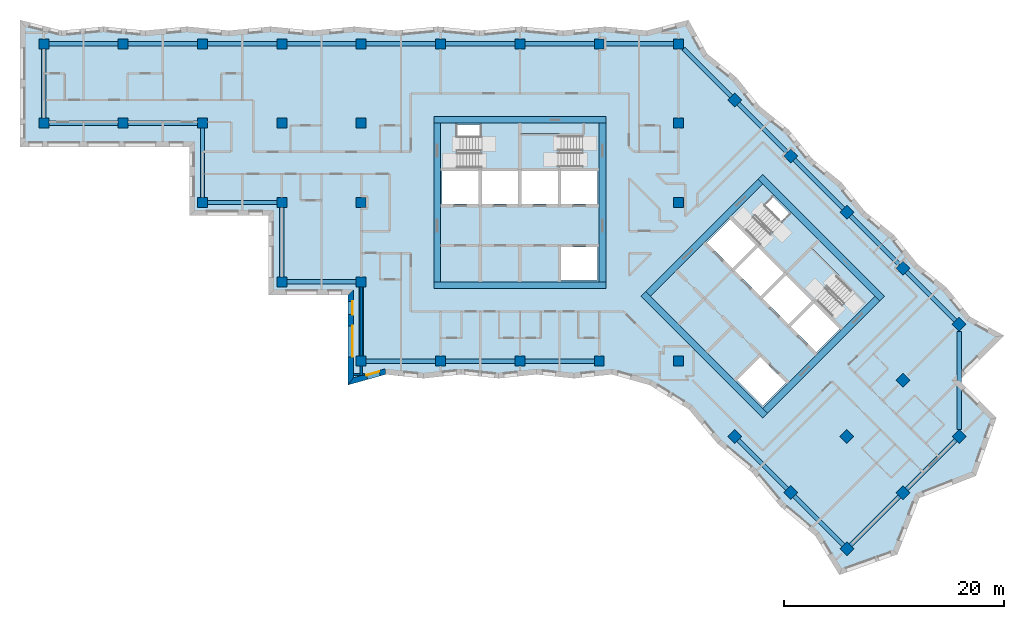
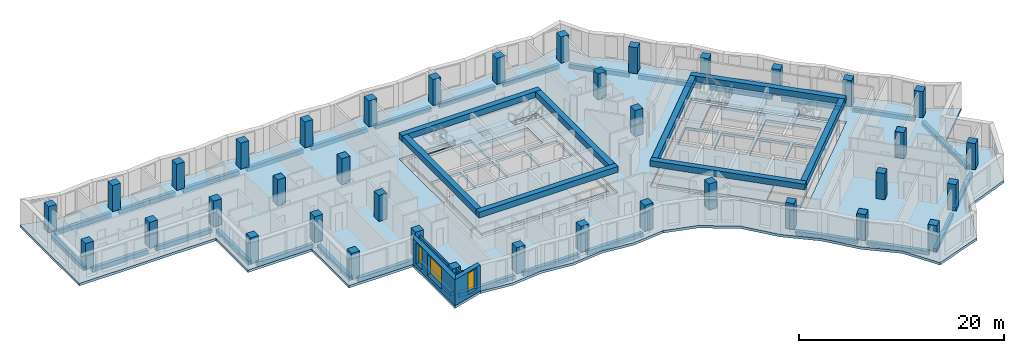
# One storey, part 1 of 12: 38 columns, 37 beams, 7 slabs, 5 walls, 3 windows, 19 openings, 4 elements without a shape of their own.
"""IFC4 building model written with IfcOpenShell, lengths in metres."""

from ifc_helpers import new_model, si_unit, direction, frame, frame_2d, origin, origin_2d, place, context, subcontext, project, spatial, polyline, rectangle, outline, extrude, material, layer, layer_set, material_profile, profile_set, type_object, element, fill, aggregate, save


model = new_model("IFC4")

# Units and contexts
model_context = context("Model", 3, precision=1e-05, world=origin(), true_north=direction((0.0, 1.0)))
body_context = subcontext(model_context, "Body", "Model", "MODEL_VIEW")
ifc_project = project(units=[si_unit("LENGTHUNIT", "METRE"), si_unit("AREAUNIT", "SQUARE_METRE"), si_unit("VOLUMEUNIT", "CUBIC_METRE"), si_unit("PLANEANGLEUNIT", "RADIAN"), si_unit("MASSUNIT", "GRAM", prefix="KILO")], contexts=[model_context])

# Site, building, storey
site_placement = place(None, origin())
site = spatial("IfcSite", under=ifc_project, at=site_placement, CompositionType="ELEMENT")
building_placement = place(site_placement, origin())
building = spatial("IfcBuilding", under=site, at=building_placement, Name="Windrow Commons", CompositionType="ELEMENT")
storey_placement = place(building_placement, frame((0.0, 0.0, 142.2)))
storey = spatial("IfcBuildingStorey", under=building, at=storey_placement, Name="L38", CompositionType="ELEMENT", Elevation=142.2)

# Columns
ifc_material_1 = material(Name="Concrete C50/60", Category="concrete")
ifc_material_profile_1 = material_profile(ifc_material_1, rectangle(XDim=0.9, YDim=0.9, at=origin_2d()))
ifc_profile_set_1 = profile_set([ifc_material_profile_1], Name="Concrete C50/60")
column_type = type_object("IfcColumnType", Name="RC COLUMN 900x900 C50/60", PredefinedType="COLUMN", material=ifc_profile_set_1)
for number, where, z_axis, x_axis, name in (
    (1, (21.6, 64.8, 0.0), (0.0, 0.0, 1.0), (1.0, 0.0, 0.0), "C-Z3-04I"),
    (2, (21.6, 72.0, 0.0), (0.0, 0.0, 1.0), (1.0, 0.0, 0.0), "C-Z3-04J"),
    (3, (28.8, 64.8, 0.0), (0.0, 0.0, 1.0), (1.0, 0.0, 0.0), "C-Z3-05I"),
    (4, (28.8, 72.0, 0.0), (0.0, 0.0, 1.0), (1.0, 0.0, 0.0), "C-Z3-05J"),
    (5, (36.0, 57.6, 0.0), (0.0, 0.0, 1.0), (1.0, 0.0, 0.0), "C-Z3-06H"),
    (6, (36.0, 64.8, 0.0), (0.0, 0.0, 1.0), (1.0, 0.0, 0.0), "C-Z3-06I"),
    (7, (36.0, 72.0, 0.0), (0.0, 0.0, 1.0), (1.0, 0.0, 0.0), "C-Z3-06J"),
    (8, (43.2, 50.4, 0.0), (0.0, 0.0, 1.0), (1.0, 0.0, 0.0), "C-Z3-07G"),
    (9, (43.2, 57.6, 0.0), (0.0, 0.0, 1.0), (1.0, 0.0, 0.0), "C-Z3-07H"),
    (10, (43.2, 64.8, 0.0), (0.0, 0.0, 1.0), (1.0, 0.0, 0.0), "C-Z3-07I"),
    (11, (43.2, 72.0, 0.0), (0.0, 0.0, 1.0), (1.0, 0.0, 0.0), "C-Z3-07J"),
    (12, (50.4, 43.2, 0.0), (0.0, 0.0, 1.0), (1.0, 0.0, 0.0), "C-Z3-08F"),
    (13, (50.4, 50.4, 0.0), (0.0, 0.0, 1.0), (1.0, 0.0, 0.0), "C-Z3-08G"),
    (14, (50.4, 57.6, 0.0), (0.0, 0.0, 1.0), (1.0, 0.0, 0.0), "C-Z3-08H"),
    (15, (50.4, 64.8, 0.0), (0.0, 0.0, 1.0), (1.0, 0.0, 0.0), "C-Z3-08I"),
    (16, (50.4, 72.0, 0.0), (0.0, 0.0, 1.0), (1.0, 0.0, 0.0), "C-Z3-08J"),
    (17, (57.6, 43.2, 0.0), (0.0, 0.0, 1.0), (1.0, 0.0, 0.0), "C-Z3-09F"),
    (18, (57.6, 72.0, 0.0), (0.0, 0.0, 1.0), (1.0, 0.0, 0.0), "C-Z3-09J"),
    (19, (64.8, 43.2, 0.0), (0.0, 0.0, 1.0), (1.0, 0.0, 0.0), "C-Z3-10F"),
    (20, (64.8, 72.0, 0.0), (0.0, 0.0, 1.0), (1.0, 0.0, 0.0), "C-Z3-10J"),
    (21, (72.0, 43.2, 0.0), (0.0, 0.0, 1.0), (1.0, 0.0, 0.0), "C-Z3-11F"),
    (22, (72.0, 72.0, 0.0), (0.0, 0.0, 1.0), (1.0, 0.0, 0.0), "C-Z3-11J"),
    (23, (79.2, 43.2, 0.0), (0.0, 0.0, 1.0), (1.0, 0.0, 0.0), "C-Z3-12F"),
    (24, (79.2, 57.6, 0.0), (0.0, 0.0, 1.0), (1.0, 0.0, 0.0), "C-Z3-12H"),
    (25, (79.2, 64.8, 0.0), (0.0, 0.0, 1.0), (1.0, 0.0, 0.0), "C-Z3-12I"),
    (26, (79.2, 72.0, 0.0), (0.0, 0.0, 1.0), (1.0, 0.0, 0.0), "C-Z3-12J"),
    (27, (84.2912, 66.9088, 0.0), (0.0, 0.0, 1.0), (0.7071067812, -0.7071067812, 0.0), "C-Z3-P2Q"),
    (28, (89.3823, 61.8177, 0.0), (0.0, 0.0, 1.0), (0.7071067812, -0.7071067812, 0.0), "C-Z3-P3Q"),
    (29, (94.4735, 56.7265, 0.0), (0.0, 0.0, 1.0), (0.7071067812, -0.7071067812, 0.0), "C-Z3-P4Q"),
    (30, (99.5647, 51.6353, 0.0), (0.0, 0.0, 1.0), (0.7071067812, -0.7071067812, 0.0), "C-Z3-P5Q"),
    (31, (84.2912, 36.3618, 0.0), (0.0, 0.0, 1.0), (0.7071067812, -0.7071067812, 0.0), "C-Z3-P5T"),
    (32, (104.6558, 46.5442, 0.0), (0.0, 0.0, 1.0), (0.7071067812, -0.7071067812, 0.0), "C-Z3-P6Q"),
    (33, (99.5647, 41.453, 0.0), (0.0, 0.0, 1.0), (0.7071067812, -0.7071067812, 0.0), "C-Z3-P6R"),
    (34, (94.4735, 36.3618, 0.0), (0.0, 0.0, 1.0), (0.7071067812, -0.7071067812, 0.0), "C-Z3-P6S"),
    (35, (89.3823, 31.2706, 0.0), (0.0, 0.0, 1.0), (0.7071067812, -0.7071067812, 0.0), "C-Z3-P6T"),
    (36, (104.6558, 36.3618, 0.0), (0.0, 0.0, 1.0), (0.7071067812, -0.7071067812, 0.0), "C-Z3-P7R"),
    (37, (99.5647, 31.2706, 0.0), (0.0, 0.0, 1.0), (0.7071067812, -0.7071067812, 0.0), "C-Z3-P7S"),
    (38, (94.4735, 26.1795, 0.0), (0.0, 0.0, 1.0), (0.7071067812, -0.7071067812, 0.0), "C-Z3-P7T"),
):
    element("IfcColumn", number, at=place(storey_placement, frame(where, z_axis=z_axis, x_axis=x_axis)), inside=storey, type_object=column_type, Name=name, PredefinedType="COLUMN", context=body_context, shape_type="SweptSolid", body=[
        extrude(rectangle(XDim=0.9, YDim=0.9, at=origin_2d()), origin(), (0.0, 0.0, 1.0), 3.1),
    ])

# Beams
ifc_material_2 = material(Name="Concrete C50/60", Category="concrete")
ifc_material_profile_2 = material_profile(ifc_material_2, rectangle(XDim=0.6, YDim=0.7, at=origin_2d()))
ifc_profile_set_2 = profile_set([ifc_material_profile_2], Name="Concrete C50/60")
beam_type_1 = type_object("IfcBeamType", Name="RC COUPLING BEAM 600x700 C50/60", PredefinedType="LINTEL", material=ifc_profile_set_2)
for number, where, z_axis, x_axis, name in (
    (39, (57.0, 50.1, 2.75), (1.0, 0.0, 0.0), (0.0, 1.0, 0.0), "Core A coupling beam outer-S"),
    (40, (57.0, 65.1, 2.75), (1.0, 0.0, 0.0), (0.0, 1.0, 0.0), "Core A coupling beam outer-N"),
):
    element("IfcBeam", number, at=place(storey_placement, frame(where, z_axis=z_axis, x_axis=x_axis)), inside=storey, type_object=beam_type_1, Name=name, PredefinedType="LINTEL", context=body_context, shape_type="SweptSolid", body=[
        extrude(rectangle(XDim=0.6, YDim=0.7, at=origin_2d()), origin(), (0.0, 0.0, 1.0), 15.6),
    ])
for number, where, z_axis, x_axis, name in (
    (41, (57.3, 50.4, 2.75), (0.0, 1.0, 0.0), (-1.0, 0.0, 0.0), "Core A coupling beam outer-W"),
    (42, (72.3, 50.4, 2.75), (0.0, 1.0, 0.0), (-1.0, 0.0, 0.0), "Core A coupling beam outer-E"),
):
    element("IfcBeam", number, at=place(storey_placement, frame(where, z_axis=z_axis, x_axis=x_axis)), inside=storey, type_object=beam_type_1, Name=name, PredefinedType="LINTEL", context=body_context, shape_type="SweptSolid", body=[
        extrude(rectangle(XDim=0.6, YDim=0.7, at=origin_2d()), origin(), (0.0, 0.0, 1.0), 14.4),
    ])
for number, where, z_axis, x_axis, name in (
    (43, (76.018, 49.3019, 2.75), (0.7071067812, -0.7071067812, 0.0), (0.7071067812, 0.7071067812, 0.0), "Core B coupling beam outer-S"),
    (44, (86.6246, 59.9085, 2.75), (0.7071067812, -0.7071067812, 0.0), (0.7071067812, 0.7071067812, 0.0), "Core B coupling beam outer-N"),
):
    element("IfcBeam", number, at=place(storey_placement, frame(where, z_axis=z_axis, x_axis=x_axis)), inside=storey, type_object=beam_type_1, Name=name, PredefinedType="LINTEL", context=body_context, shape_type="SweptSolid", body=[
        extrude(rectangle(XDim=0.6, YDim=0.7, at=origin_2d()), origin(), (0.0, 0.0, 1.0), 15.6),
    ])
for number, where, z_axis, x_axis, name in (
    (45, (76.4423, 49.3019, 2.75), (0.7071067812, 0.7071067812, 0.0), (-0.7071067812, 0.7071067812, 0.0), "Core B coupling beam outer-W"),
    (46, (87.0489, 38.6953, 2.75), (0.7071067812, 0.7071067812, 0.0), (-0.7071067812, 0.7071067812, 0.0), "Core B coupling beam outer-E"),
):
    element("IfcBeam", number, at=place(storey_placement, frame(where, z_axis=z_axis, x_axis=x_axis)), inside=storey, type_object=beam_type_1, Name=name, PredefinedType="LINTEL", context=body_context, shape_type="SweptSolid", body=[
        extrude(rectangle(XDim=0.6, YDim=0.7, at=origin_2d()), origin(), (0.0, 0.0, 1.0), 14.3999),
    ])
ifc_material_3 = material(Name="Concrete C50/60", Category="concrete")
ifc_material_profile_3 = material_profile(ifc_material_3, rectangle(XDim=0.4, YDim=0.5, at=origin_2d()))
ifc_profile_set_3 = profile_set([ifc_material_profile_3], Name="Concrete C50/60")
beam_type_2 = type_object("IfcBeamType", Name="RC EDGE BEAM 400x500 C50/60", PredefinedType="SPANDREL", material=ifc_profile_set_3)
for number, where, z_axis, x_axis, name in (
    (47, (36.0, 58.05, -0.55), (0.0, 1.0, 0.0), (-1.0, 0.0, 0.0), "Edge beam L38 001"),
    (48, (35.55, 64.8, -0.55), (-1.0, 0.0, 0.0), (0.0, -1.0, 0.0), "Edge beam L38 002"),
    (49, (28.35, 64.8, -0.55), (-1.0, 0.0, 0.0), (0.0, -1.0, 0.0), "Edge beam L38 003"),
    (50, (21.6, 65.25, -0.55), (0.0, 1.0, 0.0), (-1.0, 0.0, 0.0), "Edge beam L38 004"),
    (51, (22.05, 72.0, -0.55), (1.0, 0.0, 0.0), (0.0, 1.0, 0.0), "Edge beam L38 005"),
    (52, (29.25, 72.0, -0.55), (1.0, 0.0, 0.0), (0.0, 1.0, 0.0), "Edge beam L38 006"),
    (53, (36.45, 72.0, -0.55), (1.0, 0.0, 0.0), (0.0, 1.0, 0.0), "Edge beam L38 007"),
    (54, (43.65, 72.0, -0.55), (1.0, 0.0, 0.0), (0.0, 1.0, 0.0), "Edge beam L38 008"),
    (55, (50.85, 72.0, -0.55), (1.0, 0.0, 0.0), (0.0, 1.0, 0.0), "Edge beam L38 009"),
    (56, (58.05, 72.0, -0.55), (1.0, 0.0, 0.0), (0.0, 1.0, 0.0), "Edge beam L38 010"),
    (57, (65.25, 72.0, -0.55), (1.0, 0.0, 0.0), (0.0, 1.0, 0.0), "Edge beam L38 011"),
    (58, (72.45, 72.0, -0.55), (1.0, 0.0, 0.0), (0.0, 1.0, 0.0), "Edge beam L38 012"),
):
    element("IfcBeam", number, at=place(storey_placement, frame(where, z_axis=z_axis, x_axis=x_axis)), inside=storey, type_object=beam_type_2, Name=name, PredefinedType="SPANDREL", context=body_context, shape_type="SweptSolid", body=[
        extrude(rectangle(XDim=0.4, YDim=0.5, at=origin_2d()), origin(), (0.0, 0.0, 1.0), 6.3),
    ])
beam_1_placement = place(storey_placement, frame((79.65, 71.55, -0.55), z_axis=(0.7071067812, -0.7071067812, 0.0), x_axis=(0.7071067812, 0.7071067812, 0.0)))
element("IfcBeam", 59, at=beam_1_placement, inside=storey, type_object=beam_type_2, Name="Edge beam L38 013", PredefinedType="SPANDREL", context=body_context, shape_type="SweptSolid", body=[
    extrude(rectangle(XDim=0.4, YDim=0.5, at=origin_2d()), origin(), (0.0, 0.0, 1.0), 6.1136),
])
beam_2_placement = place(storey_placement, frame((84.6094, 66.5906, -0.55), z_axis=(0.7071067812, -0.7071067812, 0.0), x_axis=(0.7071067812, 0.7071067812, 0.0)))
element("IfcBeam", 60, at=beam_2_placement, inside=storey, type_object=beam_type_2, Name="Edge beam L38 014", PredefinedType="SPANDREL", context=body_context, shape_type="SweptSolid", body=[
    extrude(rectangle(XDim=0.4, YDim=0.5, at=origin_2d()), origin(), (0.0, 0.0, 1.0), 6.2999),
])
for number, where, z_axis, x_axis, name in (
    (61, (89.7005, 61.4995, -0.55), (0.7071067812, -0.7071067812, 0.0), (0.7071067812, 0.7071067812, 0.0), "Edge beam L38 015"),
    (62, (94.7917, 56.4083, -0.55), (0.7071067812, -0.7071067812, 0.0), (0.7071067812, 0.7071067812, 0.0), "Edge beam L38 016"),
):
    element("IfcBeam", number, at=place(storey_placement, frame(where, z_axis=z_axis, x_axis=x_axis)), inside=storey, type_object=beam_type_2, Name=name, PredefinedType="SPANDREL", context=body_context, shape_type="SweptSolid", body=[
        extrude(rectangle(XDim=0.4, YDim=0.5, at=origin_2d()), origin(), (0.0, 0.0, 1.0), 6.3),
    ])
beam_3_placement = place(storey_placement, frame((99.8829, 51.3171, -0.55), z_axis=(0.7071067812, -0.7071067812, 0.0), x_axis=(0.7071067812, 0.7071067812, 0.0)))
element("IfcBeam", 63, at=beam_3_placement, inside=storey, type_object=beam_type_2, Name="Edge beam L38 017", PredefinedType="SPANDREL", context=body_context, shape_type="SweptSolid", body=[
    extrude(rectangle(XDim=0.4, YDim=0.5, at=origin_2d()), origin(), (0.0, 0.0, 1.0), 6.2999),
])
beam_4_placement = place(storey_placement, frame((104.6558, 45.9078, -0.55), z_axis=(0.0, -1.0, 0.0), x_axis=(1.0, 0.0, 0.0)))
element("IfcBeam", 64, at=beam_4_placement, inside=storey, type_object=beam_type_2, Name="Edge beam L38 018", PredefinedType="SPANDREL", context=body_context, shape_type="SweptSolid", body=[
    extrude(rectangle(XDim=0.4, YDim=0.5, at=origin_2d()), origin(), (0.0, 0.0, 1.0), 8.9096),
])
for number, where, z_axis, x_axis, name in (
    (65, (104.3376, 36.0436, -0.55), (-0.7070988446, -0.7071147177, 0.0), (0.7071147177, -0.7070988446, 0.0), "Edge beam L38 019"),
    (66, (99.2465, 30.9524, -0.55), (-0.7071147177, -0.7070988446, 0.0), (0.7070988446, -0.7071147177, 0.0), "Edge beam L38 020"),
    (67, (94.1553, 26.4977, -0.55), (-0.7071147177, 0.7070988446, 0.0), (-0.7070988446, -0.7071147177, 0.0), "Edge beam L38 021"),
    (68, (89.0641, 31.5888, -0.55), (-0.7070988446, 0.7071147177, 0.0), (-0.7071147177, -0.7070988446, 0.0), "Edge beam L38 022"),
    (69, (71.55, 43.2, -0.55), (-1.0, 0.0, 0.0), (0.0, -1.0, 0.0), "Edge beam L38 023"),
    (70, (64.35, 43.2, -0.55), (-1.0, 0.0, 0.0), (0.0, -1.0, 0.0), "Edge beam L38 024"),
    (71, (57.15, 43.2, -0.55), (-1.0, 0.0, 0.0), (0.0, -1.0, 0.0), "Edge beam L38 025"),
    (72, (50.4, 43.65, -0.55), (0.0, 1.0, 0.0), (-1.0, 0.0, 0.0), "Edge beam L38 026"),
    (73, (49.95, 50.4, -0.55), (-1.0, 0.0, 0.0), (0.0, -1.0, 0.0), "Edge beam L38 027"),
    (74, (43.2, 50.85, -0.55), (0.0, 1.0, 0.0), (-1.0, 0.0, 0.0), "Edge beam L38 028"),
    (75, (42.75, 57.6, -0.55), (-1.0, 0.0, 0.0), (0.0, -1.0, 0.0), "Edge beam L38 029"),
):
    element("IfcBeam", number, at=place(storey_placement, frame(where, z_axis=z_axis, x_axis=x_axis)), inside=storey, type_object=beam_type_2, Name=name, PredefinedType="SPANDREL", context=body_context, shape_type="SweptSolid", body=[
        extrude(rectangle(XDim=0.4, YDim=0.5, at=origin_2d()), origin(), (0.0, 0.0, 1.0), 6.3),
    ])

# Slab, openings
ifc_material_4 = material(Name="Concrete C50/60", Category="concrete")
ifc_layer_1 = layer(ifc_material_4, 0.3)
ifc_layer_set_1 = layer_set([ifc_layer_1], Name="CORE FLOOR SLAB 300 C50/60")
slab_type_1 = type_object("IfcSlabType", Name="CORE FLOOR SLAB 300 C50/60", PredefinedType="FLOOR", material=ifc_layer_set_1)
placement_1 = place(storey_placement, frame((0.0, 0.0, -0.3)))
slab_1 = element("IfcSlab", 76, at=placement_1, inside=storey, type_object=slab_type_1, Name="S-L38-core-A", PredefinedType="FLOOR", context=body_context, shape_type="SweptSolid", body=[
    extrude(outline(polyline([(57.6, 50.4), (72.0, 50.4), (72.0, 64.8), (57.6, 64.8), (57.6, 50.4)]), holes=[polyline([(68.55, 50.55), (71.85, 50.55), (71.85, 53.55), (68.55, 53.55), (68.55, 50.55)]), polyline([(57.75, 57.45), (61.05, 57.45), (61.05, 60.45), (57.75, 60.45), (57.75, 57.45)]), polyline([(61.35, 57.45), (64.65, 57.45), (64.65, 60.45), (61.35, 60.45), (61.35, 57.45)]), polyline([(64.95, 57.45), (68.25, 57.45), (68.25, 60.45), (64.95, 60.45), (64.95, 57.45)]), polyline([(68.55, 57.45), (71.85, 57.45), (71.85, 60.45), (68.55, 60.45), (68.55, 57.45)]), polyline([(59.1, 60.75), (64.65, 60.75), (64.65, 64.65), (59.1, 64.65), (59.1, 60.75)]), polyline([(64.95, 60.75), (70.5, 60.75), (70.5, 63.705), (64.95, 63.705), (64.95, 60.75)])]), origin(), (0.0, 0.0, 1.0), 0.3),
])
opening_1_placement = place(placement_1, origin())
element("IfcOpeningElement", 77, at=opening_1_placement, cuts=slab_1, Name="Slab opening S-L38-core-A 1", PredefinedType="OPENING", context=body_context, shape_type="SweptSolid", body=[
    extrude(outline(polyline([(68.555, 50.555), (68.555, 53.545), (71.845, 53.545), (71.845, 50.555), (68.555, 50.555)])), origin(), (0.0, 0.0, 1.0), 0.3),
])
opening_2_placement = place(placement_1, origin())
element("IfcOpeningElement", 78, at=opening_2_placement, cuts=slab_1, Name="Slab opening S-L38-core-A 2", PredefinedType="OPENING", context=body_context, shape_type="SweptSolid", body=[
    extrude(outline(polyline([(57.755, 57.455), (57.755, 60.445), (61.045, 60.445), (61.045, 57.455), (57.755, 57.455)])), origin(), (0.0, 0.0, 1.0), 0.3),
])
opening_3_placement = place(placement_1, origin())
element("IfcOpeningElement", 79, at=opening_3_placement, cuts=slab_1, Name="Slab opening S-L38-core-A 3", PredefinedType="OPENING", context=body_context, shape_type="SweptSolid", body=[
    extrude(outline(polyline([(61.355, 57.455), (61.355, 60.445), (64.645, 60.445), (64.645, 57.455), (61.355, 57.455)])), origin(), (0.0, 0.0, 1.0), 0.3),
])
opening_4_placement = place(placement_1, origin())
element("IfcOpeningElement", 80, at=opening_4_placement, cuts=slab_1, Name="Slab opening S-L38-core-A 4", PredefinedType="OPENING", context=body_context, shape_type="SweptSolid", body=[
    extrude(outline(polyline([(64.955, 57.455), (64.955, 60.445), (68.245, 60.445), (68.245, 57.455), (64.955, 57.455)])), origin(), (0.0, 0.0, 1.0), 0.3),
])
opening_5_placement = place(placement_1, origin())
element("IfcOpeningElement", 81, at=opening_5_placement, cuts=slab_1, Name="Slab opening S-L38-core-A 5", PredefinedType="OPENING", context=body_context, shape_type="SweptSolid", body=[
    extrude(outline(polyline([(68.555, 57.455), (68.555, 60.445), (71.845, 60.445), (71.845, 57.455), (68.555, 57.455)])), origin(), (0.0, 0.0, 1.0), 0.3),
])
opening_6_placement = place(placement_1, origin())
element("IfcOpeningElement", 82, at=opening_6_placement, cuts=slab_1, Name="Slab opening S-L38-core-A 6", PredefinedType="OPENING", context=body_context, shape_type="SweptSolid", body=[
    extrude(outline(polyline([(59.105, 60.755), (59.105, 64.645), (64.645, 64.645), (64.645, 60.755), (59.105, 60.755)])), origin(), (0.0, 0.0, 1.0), 0.3),
])
opening_7_placement = place(placement_1, origin())
element("IfcOpeningElement", 83, at=opening_7_placement, cuts=slab_1, Name="Slab opening S-L38-core-A 7", PredefinedType="OPENING", context=body_context, shape_type="SweptSolid", body=[
    extrude(outline(polyline([(64.955, 60.755), (64.955, 63.7), (70.495, 63.7), (70.495, 60.755), (64.955, 60.755)])), origin(), (0.0, 0.0, 1.0), 0.3),
])

slab_2 = element("IfcSlab", 84, at=placement_1, inside=storey, type_object=slab_type_1, Name="S-L38-core-B", PredefinedType="FLOOR", context=body_context, shape_type="SweptSolid", body=[
    extrude(outline(polyline([(76.6544, 49.0897), (86.8368, 38.9074), (97.0191, 49.0897), (86.8368, 59.2721), (76.6544, 49.0897)]), holes=[polyline([(84.5033, 41.453), (86.8368, 39.1195), (88.9581, 41.2409), (86.6246, 43.5743), (84.5033, 41.453)]), polyline([(81.7456, 53.9688), (84.079, 51.6353), (86.2004, 53.7566), (83.8669, 56.0901), (81.7456, 53.9688)]), polyline([(84.2912, 51.4232), (86.6246, 49.0897), (88.7459, 51.2111), (86.4125, 53.5445), (84.2912, 51.4232)]), polyline([(86.8368, 48.8776), (89.1702, 46.5442), (91.2915, 48.6655), (88.9581, 50.9989), (86.8368, 48.8776)]), polyline([(89.3823, 46.332), (91.7158, 43.9986), (93.8371, 46.1199), (91.5037, 48.4533), (89.3823, 46.332)]), polyline([(85.0336, 55.3476), (88.9581, 51.4232), (91.7158, 54.1809), (87.7913, 58.1054), (85.0336, 55.3476)]), polyline([(89.1702, 51.2111), (93.0946, 47.2866), (95.1841, 49.3761), (91.2597, 53.3006), (89.1702, 51.2111)])]), origin(), (0.0, 0.0, 1.0), 0.3),
])
opening_8_placement = place(placement_1, origin())
element("IfcOpeningElement", 85, at=opening_8_placement, cuts=slab_2, Name="Slab opening S-L38-core-B 1", PredefinedType="OPENING", context=body_context, shape_type="SweptSolid", body=[
    extrude(outline(polyline([(84.5104, 41.453), (86.6246, 43.5672), (88.951, 41.2409), (86.8368, 39.1266), (84.5104, 41.453)])), origin(), (0.0, 0.0, 1.0), 0.3),
])
opening_9_placement = place(placement_1, origin())
element("IfcOpeningElement", 86, at=opening_9_placement, cuts=slab_2, Name="Slab opening S-L38-core-B 2", PredefinedType="OPENING", context=body_context, shape_type="SweptSolid", body=[
    extrude(outline(polyline([(81.7527, 53.9688), (83.8669, 56.083), (86.1933, 53.7566), (84.079, 51.6424), (81.7527, 53.9688)])), origin(), (0.0, 0.0, 1.0), 0.3),
])
opening_10_placement = place(placement_1, origin())
element("IfcOpeningElement", 87, at=opening_10_placement, cuts=slab_2, Name="Slab opening S-L38-core-B 3", PredefinedType="OPENING", context=body_context, shape_type="SweptSolid", body=[
    extrude(outline(polyline([(84.2983, 51.4232), (86.4125, 53.5374), (88.7388, 51.2111), (86.6246, 49.0968), (84.2983, 51.4232)])), origin(), (0.0, 0.0, 1.0), 0.3),
])
opening_11_placement = place(placement_1, origin())
element("IfcOpeningElement", 88, at=opening_11_placement, cuts=slab_2, Name="Slab opening S-L38-core-B 4", PredefinedType="OPENING", context=body_context, shape_type="SweptSolid", body=[
    extrude(outline(polyline([(86.8439, 48.8776), (88.9581, 50.9918), (91.2844, 48.6655), (89.1702, 46.5513), (86.8439, 48.8776)])), origin(), (0.0, 0.0, 1.0), 0.3),
])
opening_12_placement = place(placement_1, origin())
element("IfcOpeningElement", 89, at=opening_12_placement, cuts=slab_2, Name="Slab opening S-L38-core-B 5", PredefinedType="OPENING", context=body_context, shape_type="SweptSolid", body=[
    extrude(outline(polyline([(89.3894, 46.332), (91.5037, 48.4462), (93.83, 46.1199), (91.7158, 44.0057), (89.3894, 46.332)])), origin(), (0.0, 0.0, 1.0), 0.3),
])
opening_13_placement = place(placement_1, origin())
element("IfcOpeningElement", 90, at=opening_13_placement, cuts=slab_2, Name="Slab opening S-L38-core-B 6", PredefinedType="OPENING", context=body_context, shape_type="SweptSolid", body=[
    extrude(outline(polyline([(85.0407, 55.3476), (87.7913, 58.0983), (91.7087, 54.1809), (88.9581, 51.4303), (85.0407, 55.3476)])), origin(), (0.0, 0.0, 1.0), 0.3),
])
opening_14_placement = place(placement_1, origin())
element("IfcOpeningElement", 91, at=opening_14_placement, cuts=slab_2, Name="Slab opening S-L38-core-B 7", PredefinedType="OPENING", context=body_context, shape_type="SweptSolid", body=[
    extrude(outline(polyline([(89.1773, 51.2111), (91.2597, 53.2935), (95.177, 49.3761), (93.0946, 47.2937), (89.1773, 51.2111)])), origin(), (0.0, 0.0, 1.0), 0.3),
])

# Stair, slab
ifc_material_5 = material(Name="Concrete C40/50", Category="concrete")
stair_type = type_object("IfcStairType", Name="Core stair", PredefinedType="HALF_TURN_STAIR", material=ifc_material_5)
placement_2 = place(storey_placement, origin())
stair_1 = element("IfcStair", 92, at=placement_2, inside=storey, type_object=stair_type, Name="L38 Exit stair A1 core A", PredefinedType="HALF_TURN_STAIR")
ifc_material_6 = material(Name="Concrete C40/50", Category="concrete")
ifc_layer_2 = layer(ifc_material_6, 0.2)
ifc_layer_set_2 = layer_set([ifc_layer_2], Name="Core stair landing")
slab_type_2 = type_object("IfcSlabType", Name="Core stair landing", PredefinedType="LANDING", material=ifc_layer_set_2)
placement_3 = place(storey_placement, frame((0.0, 0.0, 1.5)))
slab_3 = element("IfcSlab", 93, at=placement_3, type_object=slab_type_2, Name="ST-A1 landing 1", PredefinedType="LANDING", context=body_context, shape_type="SweptSolid", body=[
    extrude(outline(polyline([(61.22, 60.5), (64.8, 60.5), (64.8, 64.9), (61.22, 64.9), (61.22, 60.5)])), origin(), (0.0, 0.0, 1.0), 0.2),
])
aggregate(stair_1, [slab_3])

stair_2 = element("IfcStair", 94, at=placement_2, inside=storey, type_object=stair_type, Name="L38 Exit stair A2 core A", PredefinedType="HALF_TURN_STAIR")
slab_4 = element("IfcSlab", 95, at=placement_3, type_object=slab_type_2, Name="ST-A2 landing 1", PredefinedType="LANDING", context=body_context, shape_type="SweptSolid", body=[
    extrude(outline(polyline([(64.8, 60.5), (68.38, 60.5), (68.38, 63.855), (64.8, 63.855), (64.8, 60.5)])), origin(), (0.0, 0.0, 1.0), 0.2),
])
aggregate(stair_2, [slab_4])

stair_3 = element("IfcStair", 96, at=placement_2, inside=storey, type_object=stair_type, Name="L38 Exit stair B1 core B", PredefinedType="HALF_TURN_STAIR")
slab_5 = element("IfcSlab", 97, at=placement_3, type_object=slab_type_2, Name="ST-B1 landing 1", PredefinedType="LANDING", context=body_context, shape_type="SweptSolid", body=[
    extrude(outline(polyline([(86.3559, 53.6718), (88.8874, 51.1403), (91.9986, 54.2516), (89.4672, 56.7831), (86.3559, 53.6718)])), origin(), (0.0, 0.0, 1.0), 0.2),
])
aggregate(stair_3, [slab_5])

stair_4 = element("IfcStair", 98, at=placement_2, inside=storey, type_object=stair_type, Name="L38 Exit stair B2 core B", PredefinedType="HALF_TURN_STAIR")
slab_6 = element("IfcSlab", 99, at=placement_3, type_object=slab_type_2, Name="ST-B2 landing 1", PredefinedType="LANDING", context=body_context, shape_type="SweptSolid", body=[
    extrude(outline(polyline([(88.8874, 51.1403), (91.4188, 48.6089), (93.7911, 50.9812), (91.2597, 53.5127), (88.8874, 51.1403)])), origin(), (0.0, 0.0, 1.0), 0.2),
])
aggregate(stair_4, [slab_6])

# Slab, openings
ifc_material_7 = material(Name="Concrete C50/60", Category="concrete")
ifc_layer_3 = layer(ifc_material_7, 0.3)
ifc_layer_set_3 = layer_set([ifc_layer_3], Name="FLOOR SLAB 300 C50/60")
slab_type_3 = type_object("IfcSlabType", Name="FLOOR SLAB 300 C50/60", PredefinedType="FLOOR", material=ifc_layer_set_3)
slab_7 = element("IfcSlab", 100, at=placement_1, inside=storey, type_object=slab_type_3, Name="S-L38-floor", PredefinedType="FLOOR", context=body_context, shape_type="SweptSolid", body=[
    extrude(outline(polyline([(91.6008, 27.3551), (93.794, 23.8029), (99.055, 25.6698), (101.0634, 30.7895), (106.183, 32.7978), (108.05, 38.0589), (104.6558, 41.453), (108.7295, 45.5266), (105.6638, 47.2333), (103.5329, 49.8748), (100.8914, 52.0057), (98.7605, 54.6471), (96.119, 56.7781), (93.9881, 59.4195), (91.3466, 61.5505), (89.2157, 64.1919), (86.5742, 66.3229), (84.4433, 68.9643), (81.8018, 71.0953), (80.0952, 74.161), (76.3041, 73.2), (72.5131, 73.561), (68.7221, 73.2), (64.9311, 73.561), (61.1401, 73.2), (57.3491, 73.561), (53.5581, 73.2), (49.7671, 73.561), (45.9761, 73.2), (42.1851, 73.561), (38.394, 73.2), (34.603, 73.561), (30.812, 73.2), (27.021, 73.561), (23.23, 73.2), (19.439, 74.161), (19.439, 62.639), (34.8, 62.639), (34.8, 56.4), (42.0, 56.4), (42.0, 49.2), (49.2, 49.2), (49.2, 41.039), (52.6197, 42.0), (56.0395, 41.639), (59.4592, 42.0), (62.8789, 41.639), (66.2987, 42.0), (69.7184, 41.639), (73.1381, 42.0), (76.5578, 41.039), (80.1101, 38.8458), (82.7275, 35.7179), (85.8554, 33.1005), (88.4729, 29.9725), (91.6008, 27.3551)]), holes=[polyline([(75.8059, 49.0897), (86.8368, 60.1206), (97.8676, 49.0897), (86.8368, 38.0589), (75.8059, 49.0897)]), polyline([(57.0, 49.8), (57.0, 65.4), (72.6, 65.4), (72.6, 49.8), (57.0, 49.8)])]), origin(), (0.0, 0.0, 1.0), 0.3),
])
opening_15_placement = place(placement_1, origin())
element("IfcOpeningElement", 101, at=opening_15_placement, cuts=slab_7, Name="Slab opening S-L38-floor 1", PredefinedType="OPENING", context=body_context, shape_type="SweptSolid", body=[
    extrude(outline(polyline([(75.813, 49.0897), (86.8368, 60.1135), (97.8605, 49.0897), (86.8368, 38.066), (75.813, 49.0897)])), origin(), (0.0, 0.0, 1.0), 0.3),
])
opening_16_placement = place(placement_1, origin())
element("IfcOpeningElement", 102, at=opening_16_placement, cuts=slab_7, Name="Slab opening S-L38-floor 2", PredefinedType="OPENING", context=body_context, shape_type="SweptSolid", body=[
    extrude(outline(polyline([(57.005, 49.805), (57.005, 65.395), (72.595, 65.395), (72.595, 49.805), (57.005, 49.805)])), origin(), (0.0, 0.0, 1.0), 0.3),
])

# Wall, openings, windows
ifc_material_8 = material(Name="Brick masonry, red clay brick", Category="masonry")
ifc_layer_4 = layer(ifc_material_8, 0.5)
ifc_layer_set_4 = layer_set([ifc_layer_4], Name="Brick facade wall 500")
wall_type_1 = type_object("IfcWallType", Name="Brick facade wall 500", PredefinedType="SOLIDWALL", material=ifc_layer_set_4)
wall_1_placement = place(storey_placement, frame((49.45, 49.45, 0.0), z_axis=(0.0, 0.0, 1.0), x_axis=(0.0, -1.0, 0.0)))
wall_1 = element("IfcWall", 103, at=wall_1_placement, inside=storey, type_object=wall_type_1, Name="Brick facade wall L38 41", PredefinedType="SOLIDWALL", context=body_context, shape_type="SweptSolid", body=[
    extrude(outline(polyline([(0.25, -0.25), (8.411, -0.25), (7.7511, 0.25), (-0.25, 0.25), (0.25, -0.25)])), origin(), (0.0, 0.0, 1.0), 3.1),
])
opening_17_placement = place(wall_1_placement, frame((3.05, 0.0, 0.45)))
opening_17 = element("IfcOpeningElement", 104, at=opening_17_placement, cuts=wall_1, Name="Opening W1U", PredefinedType="OPENING", context=body_context, shape_type="SweptSolid", body=[
    extrude(rectangle(XDim=2.8, YDim=2.5, at=frame_2d((1.4, 1.25))), frame((0.0, 0.26, 0.0), z_axis=(0.0, -1.0, 0.0), x_axis=(1.0, 0.0, 0.0)), (0.0, 0.0, 1.0), 0.52),
])
opening_18_placement = place(wall_1_placement, frame((0.825, 0.0, 0.45)))
opening_18 = element("IfcOpeningElement", 105, at=opening_18_placement, cuts=wall_1, Name="Opening W7E", PredefinedType="OPENING", context=body_context, shape_type="SweptSolid", body=[
    extrude(rectangle(XDim=1.2, YDim=2.5, at=frame_2d((0.6, 1.25))), frame((0.0, 0.26, 0.0), z_axis=(0.0, -1.0, 0.0), x_axis=(1.0, 0.0, 0.0)), (0.0, 0.0, 1.0), 0.52),
])
ifc_material_9 = material(Name="Clear float glass in anodised aluminium frame", Category="aluminium")
window_type_1 = type_object("IfcWindowType", Name="Window W1U bedroom 2800x2500", PartitioningType="SINGLE_PANEL", PredefinedType="WINDOW", material=ifc_material_9)
window_1_placement = place(opening_17_placement, origin())
window_1 = element("IfcWindow", 106, at=window_1_placement, inside=storey, type_object=window_type_1, Name="Window L38 41.1", OverallHeight=2.5, OverallWidth=2.8, PartitioningType="SINGLE_PANEL", PredefinedType="WINDOW", context=body_context, shape_type="SweptSolid", body=[
    extrude(rectangle(XDim=2.8, YDim=2.5, at=frame_2d((1.4, 1.25))), frame((0.0, 0.18, 0.0), z_axis=(0.0, -1.0, 0.0), x_axis=(1.0, 0.0, 0.0)), (0.0, 0.0, 1.0), 0.06),
])
fill(opening_17, window_1)
ifc_material_10 = material(Name="Clear float glass in anodised aluminium frame", Category="aluminium")
window_type_2 = type_object("IfcWindowType", Name="Window W7 notch 1200x2500", PartitioningType="SINGLE_PANEL", PredefinedType="WINDOW", material=ifc_material_10)
window_2_placement = place(opening_18_placement, origin())
window_2 = element("IfcWindow", 107, at=window_2_placement, inside=storey, type_object=window_type_2, Name="Window L38 41.2", OverallHeight=2.5, OverallWidth=1.2, PartitioningType="SINGLE_PANEL", PredefinedType="WINDOW", context=body_context, shape_type="SweptSolid", body=[
    extrude(rectangle(XDim=1.2, YDim=2.5, at=frame_2d((0.6, 1.25))), frame((0.0, 0.18, 0.0), z_axis=(0.0, -1.0, 0.0), x_axis=(1.0, 0.0, 0.0)), (0.0, 0.0, 1.0), 0.06),
])
fill(opening_18, window_2)

# Wall, opening, window
wall_2_placement = place(storey_placement, frame((49.45, 41.3689, 0.0), z_axis=(0.0, 0.0, 1.0), x_axis=(0.9627034728, 0.2705587246, 0.0)))
wall_2 = element("IfcWall", 108, at=wall_2_placement, inside=storey, type_object=wall_type_1, Name="Brick facade wall L38 42", PredefinedType="SOLIDWALL", context=body_context, shape_type="SweptSolid", body=[
    extrude(outline(polyline([(-0.3299, -0.25), (3.2223, -0.25), (3.3182, 0.25), (0.3299, 0.25), (-0.3299, -0.25)])), origin(), (0.0, 0.0, 1.0), 3.1),
])
opening_19_placement = place(wall_2_placement, frame((1.5285, 0.0, 0.45)))
opening_19 = element("IfcOpeningElement", 109, at=opening_19_placement, cuts=wall_2, Name="Opening W7E", PredefinedType="OPENING", context=body_context, shape_type="SweptSolid", body=[
    extrude(rectangle(XDim=1.2, YDim=2.5, at=frame_2d((0.6, 1.25))), frame((0.0, 0.26, 0.0), z_axis=(0.0, -1.0, 0.0), x_axis=(1.0, 0.0, 0.0)), (0.0, 0.0, 1.0), 0.52),
])
window_3_placement = place(opening_19_placement, origin())
window_3 = element("IfcWindow", 110, at=window_3_placement, inside=storey, type_object=window_type_2, Name="Window L38 42.1", OverallHeight=2.5, OverallWidth=1.2, PartitioningType="SINGLE_PANEL", PredefinedType="WINDOW", context=body_context, shape_type="SweptSolid", body=[
    extrude(rectangle(XDim=1.2, YDim=2.5, at=frame_2d((0.6, 1.25))), frame((0.0, 0.18, 0.0), z_axis=(0.0, -1.0, 0.0), x_axis=(1.0, 0.0, 0.0)), (0.0, 0.0, 1.0), 0.06),
])
fill(opening_19, window_3)

# Walls
ifc_material_11 = material(Name="Blockwork partition", Category="masonry")
ifc_layer_5 = layer(ifc_material_11, 0.2)
ifc_layer_set_5 = layer_set([ifc_layer_5], Name="IW-PARTY-200")
wall_type_2 = type_object("IfcWallType", Name="IW-PARTY-200", PredefinedType="PARTITIONING", material=ifc_layer_set_5)
wall_3_placement = place(storey_placement, frame((50.4, 43.65, 0.0), z_axis=(0.0, 0.0, 1.0), x_axis=(0.0, 1.0, 0.0)))
element("IfcWall", 111, at=wall_3_placement, inside=storey, type_object=wall_type_2, Name="W-L38-W020", PredefinedType="PARTITIONING", context=body_context, shape_type="SweptSolid", body=[
    extrude(rectangle(XDim=6.3, YDim=0.2, at=frame_2d((3.15, 0.0))), origin(), (0.0, 0.0, 1.0), 2.6),
])
wall_4_placement = place(storey_placement, frame((49.7, 42.0, 0.0), z_axis=(0.0, 0.0, 1.0), x_axis=(1.0, 0.0, 0.0)))
element("IfcWall", 112, at=wall_4_placement, inside=storey, type_object=wall_type_2, Name="W-L38-W150", PredefinedType="PARTITIONING", context=body_context, shape_type="SweptSolid", body=[
    extrude(rectangle(XDim=1.0216, YDim=0.2, at=frame_2d((0.5108, 0.0))), origin(), (0.0, 0.0, 1.0), 3.1),
])
wall_5_placement = place(storey_placement, frame((50.4, 41.8956, 0.0), z_axis=(0.0, 0.0, 1.0), x_axis=(0.0, 1.0, 0.0)))
element("IfcWall", 113, at=wall_5_placement, inside=storey, type_object=wall_type_2, Name="W-L38-W151", PredefinedType="PARTITIONING", context=body_context, shape_type="SweptSolid", body=[
    extrude(rectangle(XDim=0.8544, YDim=0.2, at=frame_2d((0.4272, 0.0))), origin(), (0.0, 0.0, 1.0), 3.1),
])

save(model, "model.ifc")
